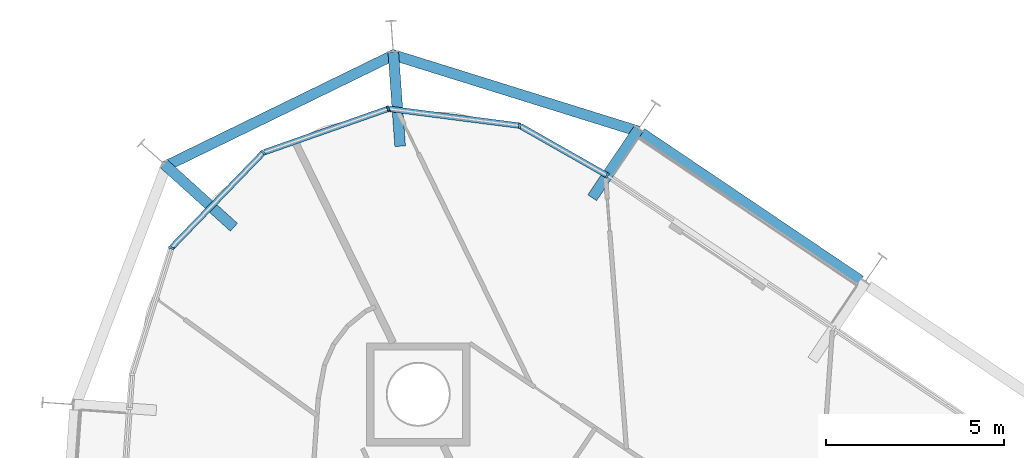
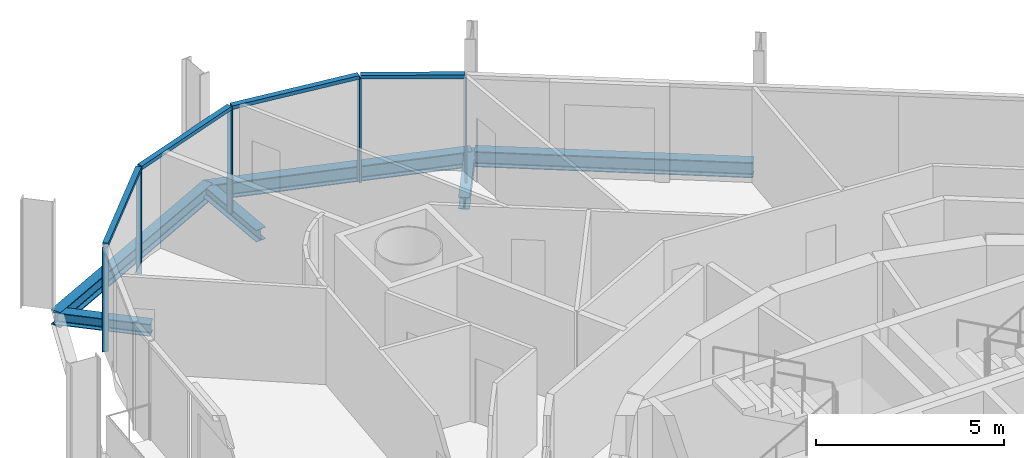
# One storey, part 8 of 18: 9 members, 6 beams, 1 element without a shape of its own.
"""IFC4 building model written with IfcOpenShell, lengths in metres."""

from ifc_helpers import new_model, si_unit, direction, frame, origin, origin_2d, place, context, subcontext, project, spatial, rectangle, i_section, extrude, material, layer, layer_set, material_profile, profile_set, type_object, element, aggregate, save


model = new_model("IFC4")

# Units and contexts
model_context = context("Model", 3, precision=1e-05, world=origin(), true_north=direction((0.0, 1.0)))
body_context = subcontext(model_context, "Body", "Model", "MODEL_VIEW")
ifc_project = project(units=[si_unit("LENGTHUNIT", "METRE"), si_unit("AREAUNIT", "SQUARE_METRE"), si_unit("VOLUMEUNIT", "CUBIC_METRE"), si_unit("PLANEANGLEUNIT", "RADIAN"), si_unit("MASSUNIT", "GRAM", prefix="KILO")], contexts=[model_context])

# Site, building, storey
site_placement = place(None, origin())
site = spatial("IfcSite", under=ifc_project, at=site_placement, CompositionType="ELEMENT")
building_placement = place(site_placement, origin())
building = spatial("IfcBuilding", under=site, at=building_placement, Name="Spindle Arch Residences", CompositionType="ELEMENT")
storey_placement = place(building_placement, frame((0.0, 0.0, 195.39990234375)))
storey = spatial("IfcBuildingStorey", under=building, at=storey_placement, Name="L49", CompositionType="ELEMENT", Elevation=195.39990234375)

# Curtain wall, members
ifc_material_1 = material(Name="Aluminium bronze unitised frame with tinted glass", Category="aluminium")
ifc_layer = layer(ifc_material_1, 0.159912109375)
ifc_layer_set = layer_set([ifc_layer], Name="CW-D corner wall on the fillet arcs")
curtain_wall_type = type_object("IfcCurtainWallType", Name="CW-D corner wall on the fillet arcs", PredefinedType="NOTDEFINED", material=ifc_layer_set)
curtain_wall_placement = place(storey_placement, origin())
curtain_wall = element("IfcCurtainWall", 1, at=curtain_wall_placement, inside=storey, type_object=curtain_wall_type, Name="CW-D L49 run 3", PredefinedType="NOTDEFINED")
ifc_material_2 = material(Name="Aluminium bronze anodised mullion", Category="aluminium")
ifc_material_profile_1 = material_profile(ifc_material_2, rectangle(XDim=0.159912109375, YDim=0.06005859375, at=origin_2d()), Name="MU 60x160")
ifc_profile_set_1 = profile_set([ifc_material_profile_1], Name="Aluminium bronze anodised mullion")
member_type_1 = type_object("IfcMemberType", Name="Bronze mullion 60x160", PredefinedType="MULLION", material=ifc_profile_set_1)
member_1_placement = place(storey_placement, frame((-3.608642578125, 24.46044921875, -0.3798828125), z_axis=(0.0, 0.0, 1.0), x_axis=(-0.493864780547, -0.86953871595, 0.0)))
member_1 = element("IfcMember", 2, at=member_1_placement, type_object=member_type_1, Name="CW-D mullion 00", PredefinedType="MULLION", context=body_context, shape_type="SweptSolid", body=[
    extrude(rectangle(XDim=0.159912109375, YDim=0.06005859375, at=origin_2d()), origin(), (0.0, 0.0, 1.0), 3.3798828125),
])
member_2_placement = place(storey_placement, frame((-6.07421875, 25.86083984375, -0.3798828125), z_axis=(0.0, 0.0, 1.0), x_axis=(-0.127641651888, -0.991820351023, 0.0)))
member_2 = element("IfcMember", 3, at=member_2_placement, type_object=member_type_1, Name="CW-D mullion 01", PredefinedType="MULLION", context=body_context, shape_type="SweptSolid", body=[
    extrude(rectangle(XDim=0.159912109375, YDim=0.06005859375, at=origin_2d()), origin(), (0.0, 0.0, 1.0), 3.3798828125),
])
member_3_placement = place(storey_placement, frame((-9.7705078125, 26.336669921875, -0.3798828125), z_axis=(0.0, 0.0, 1.0), x_axis=(0.331063412445, -0.943608508302, 0.0)))
member_3 = element("IfcMember", 4, at=member_3_placement, type_object=member_type_1, Name="CW-D mullion 02", PredefinedType="MULLION", context=body_context, shape_type="SweptSolid", body=[
    extrude(rectangle(XDim=0.159912109375, YDim=0.06005859375, at=origin_2d()), origin(), (0.0, 0.0, 1.0), 3.3798828125),
])
member_4_placement = place(storey_placement, frame((-13.287109375, 25.102783203125, -0.3798828125), z_axis=(0.0, 0.0, 1.0), x_axis=(0.719339801939, -0.694658368802, 0.0)))
member_4 = element("IfcMember", 5, at=member_4_placement, type_object=member_type_1, Name="CW-D mullion 03", PredefinedType="MULLION", context=body_context, shape_type="SweptSolid", body=[
    extrude(rectangle(XDim=0.159912109375, YDim=0.06005859375, at=origin_2d()), origin(), (0.0, 0.0, 1.0), 3.3798828125),
])
member_5_placement = place(storey_placement, frame((-15.8759765625, 22.421875, -0.3798828125), z_axis=(0.0, 0.0, 1.0), x_axis=(0.954587634064, -0.297930275218, 0.0)))
member_5 = element("IfcMember", 6, at=member_5_placement, type_object=member_type_1, Name="CW-D mullion 04", PredefinedType="MULLION", context=body_context, shape_type="SweptSolid", body=[
    extrude(rectangle(XDim=0.159912109375, YDim=0.06005859375, at=origin_2d()), origin(), (0.0, 0.0, 1.0), 3.3798828125),
])
ifc_material_3 = material(Name="Aluminium bronze anodised transom", Category="aluminium")
ifc_material_profile_2 = material_profile(ifc_material_3, rectangle(XDim=0.159912109375, YDim=0.1201171875, at=origin_2d()), Name="TR 120x160")
ifc_profile_set_2 = profile_set([ifc_material_profile_2], Name="Aluminium bronze anodised transom")
member_type_2 = type_object("IfcMemberType", Name="Bronze transom 120x160", PredefinedType="USERDEFINED", material=ifc_profile_set_2)
member_6_placement = place(storey_placement, frame((-3.634521484375, 24.475341796875, 3.06005859375), z_axis=(-0.869571592644, 0.493806890664, 0.0), x_axis=(-0.493806890664, -0.869571592644, 0.0)))
member_6 = element("IfcMember", 7, at=member_6_placement, type_object=member_type_2, Name="CW-D transom 00", ObjectType="TRANSOM", PredefinedType="USERDEFINED", context=body_context, shape_type="SweptSolid", body=[
    extrude(rectangle(XDim=0.159912109375, YDim=0.1201171875, at=origin_2d()), origin(), (0.0, 0.0, 1.0), 2.775634765625),
])
member_7_placement = place(storey_placement, frame((-6.10400390625, 25.86474609375, 3.06005859375), z_axis=(-0.991820609669, 0.127639642101, 0.0), x_axis=(-0.127639642101, -0.991820609669, 0.0)))
member_7 = element("IfcMember", 8, at=member_7_placement, type_object=member_type_2, Name="CW-D transom 01", ObjectType="TRANSOM", PredefinedType="USERDEFINED", context=body_context, shape_type="SweptSolid", body=[
    extrude(rectangle(XDim=0.159912109375, YDim=0.1201171875, at=origin_2d()), origin(), (0.0, 0.0, 1.0), 3.666748046875),
])
member_8_placement = place(storey_placement, frame((-9.798828125, 26.32666015625, 3.06005859375), z_axis=(-0.943613119154, -0.331050270141, 0.0), x_axis=(0.331050270141, -0.943613119154, 0.0)))
member_8 = element("IfcMember", 9, at=member_8_placement, type_object=member_type_2, Name="CW-D transom 02", ObjectType="TRANSOM", PredefinedType="USERDEFINED", context=body_context, shape_type="SweptSolid", body=[
    extrude(rectangle(XDim=0.159912109375, YDim=0.1201171875, at=origin_2d()), origin(), (0.0, 0.0, 1.0), 3.666748046875),
])
member_9_placement = place(storey_placement, frame((-13.307861328125, 25.081298828125, 3.06005859375), z_axis=(-0.694647982093, -0.719349832122, 0.0), x_axis=(0.719349832122, -0.694647982093, 0.0)))
member_9 = element("IfcMember", 10, at=member_9_placement, type_object=member_type_2, Name="CW-D transom 03", ObjectType="TRANSOM", PredefinedType="USERDEFINED", context=body_context, shape_type="SweptSolid", body=[
    extrude(rectangle(XDim=0.159912109375, YDim=0.1201171875, at=origin_2d()), origin(), (0.0, 0.0, 1.0), 3.666748046875),
])
aggregate(curtain_wall, [member_1, member_6, member_2, member_7, member_3, member_8, member_4, member_9, member_5])

# Beams
ifc_material_4 = material(Name="Steel S460ML, intumescent coating R 120", Category="steel")
ifc_material_profile_3 = material_profile(ifc_material_4, i_section(OverallWidth=0.300048828125, OverallDepth=0.5, WebThickness=0.014404296875, FlangeThickness=0.028076171875, FilletRadius=0.027099609375, at=origin_2d()), Name="HEB 500")
ifc_profile_set_3 = profile_set([ifc_material_profile_3], Name="Steel S460ML, intumescent coating R 120")
beam_type_1 = type_object("IfcBeamType", Name="Exoskeleton edge beam HEB 500", PredefinedType="BEAM", material=ifc_profile_set_3)
beam_1_placement = place(storey_placement, frame((3.517578125, 21.499267578125, -0.6298828125), z_axis=(-0.829031763913, 0.55920151504, 0.0), x_axis=(-0.55920151504, -0.829031763913, 0.0)))
element("IfcBeam", 11, at=beam_1_placement, inside=storey, type_object=beam_type_1, Name="Exoskeleton edge beam 9", PredefinedType="BEAM", context=body_context, shape_type="SweptSolid", body=[
    extrude(i_section(OverallWidth=0.300048828125, OverallDepth=0.5, WebThickness=0.014404296875, FlangeThickness=0.028076171875, FilletRadius=0.027099609375, at=origin_2d()), origin(), (0.0, 0.0, 1.0), 7.433837890625),
])
beam_2_placement = place(storey_placement, frame((-2.729248046875, 25.7001953125, -0.6298828125), z_axis=(-0.954689668885, 0.297603152072, 0.0), x_axis=(-0.297603152072, -0.954689668885, 0.0)))
element("IfcBeam", 12, at=beam_2_placement, inside=storey, type_object=beam_type_1, Name="Exoskeleton edge beam 10", PredefinedType="BEAM", context=body_context, shape_type="SweptSolid", body=[
    extrude(i_section(OverallWidth=0.300048828125, OverallDepth=0.5, WebThickness=0.014404296875, FlangeThickness=0.028076171875, FilletRadius=0.027099609375, at=origin_2d()), origin(), (0.0, 0.0, 1.0), 7.263427734375),
])
beam_3_placement = place(storey_placement, frame((-9.563720703125, 27.876708984375, -0.6298828125), z_axis=(-0.89878236333, -0.438395099616, 0.0), x_axis=(0.438395099616, -0.89878236333, 0.0)))
element("IfcBeam", 13, at=beam_3_placement, inside=storey, type_object=beam_type_1, Name="Exoskeleton edge beam 11", PredefinedType="BEAM", context=body_context, shape_type="SweptSolid", body=[
    extrude(i_section(OverallWidth=0.300048828125, OverallDepth=0.5, WebThickness=0.014404296875, FlangeThickness=0.028076171875, FilletRadius=0.027099609375, at=origin_2d()), origin(), (0.0, 0.0, 1.0), 7.2490234375),
])
ifc_material_5 = material(Name="Steel S460ML, intumescent coating R 120", Category="steel")
ifc_material_profile_4 = material_profile(ifc_material_5, i_section(OverallWidth=0.300048828125, OverallDepth=0.389892578125, WebThickness=0.010986328125, FlangeThickness=0.01904296875, FilletRadius=0.027099609375, at=origin_2d()), Name="HEA 400")
ifc_profile_set_4 = profile_set([ifc_material_profile_4], Name="Steel S460ML, intumescent coating R 120")
beam_type_2 = type_object("IfcBeamType", Name="Floor outrigger HEA 400", PredefinedType="BEAM", material=ifc_profile_set_4)
beam_4_placement = place(storey_placement, frame((-2.730712890625, 25.761962890625, -0.574951171875), z_axis=(-0.559170171593, -0.829052904947, 0.0), x_axis=(0.829052904947, -0.559170171593, 0.0)))
element("IfcBeam", 14, at=beam_4_placement, inside=storey, type_object=beam_type_2, Name="Floor outrigger 10", PredefinedType="BEAM", context=body_context, shape_type="SweptSolid", body=[
    extrude(i_section(OverallWidth=0.300048828125, OverallDepth=0.389892578125, WebThickness=0.010986328125, FlangeThickness=0.01904296875, FilletRadius=0.027099609375, at=origin_2d()), origin(), (0.0, 0.0, 1.0), 2.32763671875),
])
for number, where, z_axis, x_axis, name in (
    (15, (-9.62890625, 27.92529296875, -0.574951171875), (0.072870594007, -0.997341404199, 0.0), (0.997341404199, 0.072870594007, 0.0), "Floor outrigger 11"),
    (16, (-16.0771484375, 24.780029296875, -0.574951171875), (0.741072898018, -0.671424574932, 0.0), (0.671424574932, 0.741072898018, 0.0), "Floor outrigger 12"),
):
    element("IfcBeam", number, at=place(storey_placement, frame(where, z_axis=z_axis, x_axis=x_axis)), inside=storey, type_object=beam_type_2, Name=name, PredefinedType="BEAM", context=body_context, shape_type="SweptSolid", body=[
        extrude(i_section(OverallWidth=0.300048828125, OverallDepth=0.389892578125, WebThickness=0.010986328125, FlangeThickness=0.01904296875, FilletRadius=0.027099609375, at=origin_2d()), origin(), (0.0, 0.0, 1.0), 2.650146484375),
    ])

save(model, "model.ifc")
